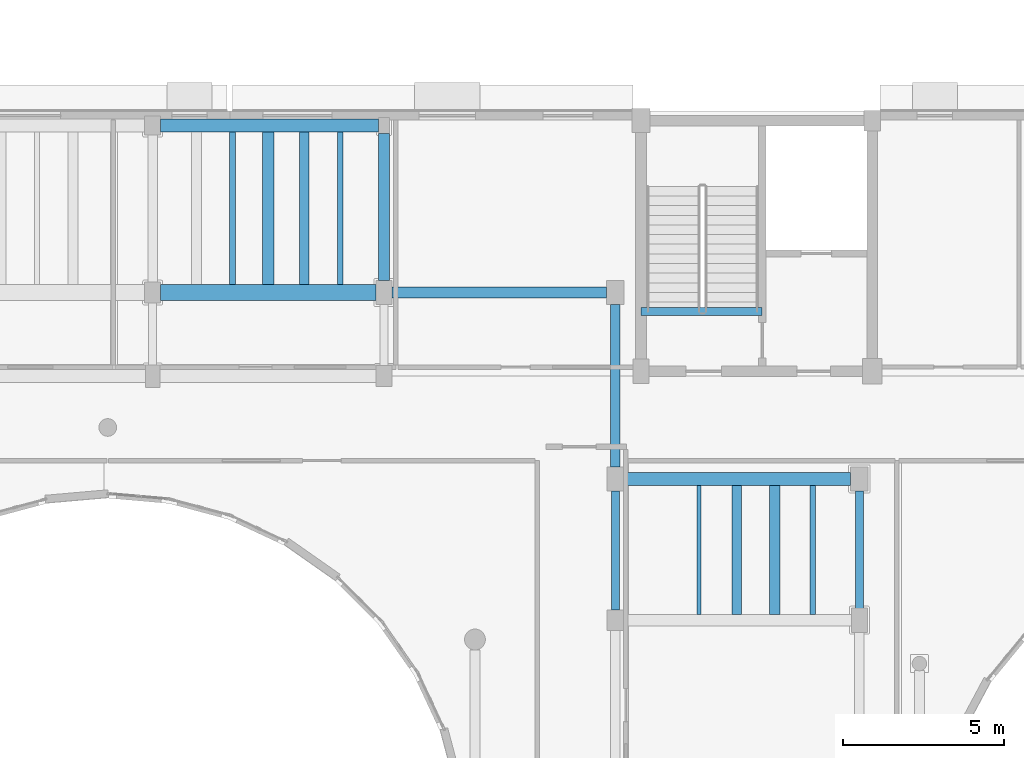
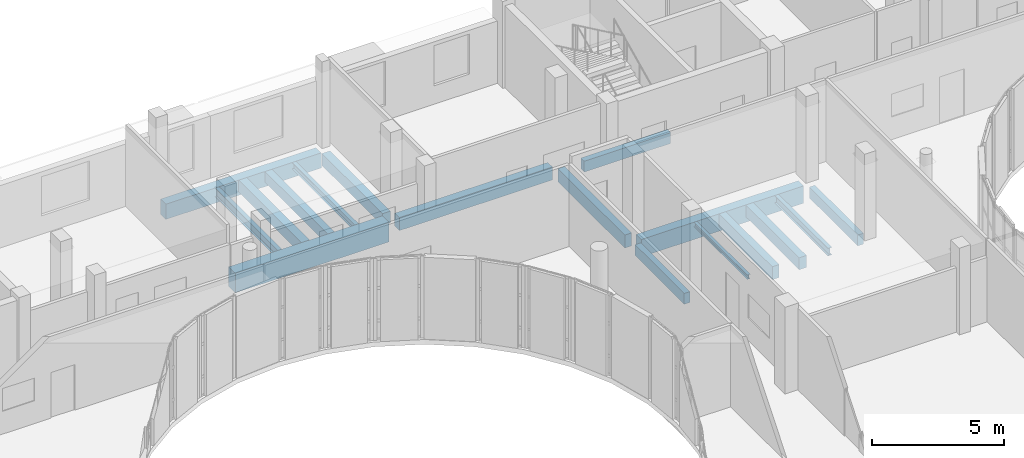
# One storey, part 37 of 92: 17 beams.
"""IFC4 building model written with IfcOpenShell, lengths in metres."""

import ifcopenshell
import ifcopenshell.guid

model = None  # the IFC model being written
_history = None  # IfcOwnerHistory: only IFC2X3 demands one
_inside = {}  # id of a spatial element -> (the spatial element, [elements in it])
_under = {}  # id of a project, library or spatial element -> (it, [spatial elements below it])
_declared = {}  # id of a project -> (the project, [libraries it declares])
_typed = {}  # id of a type object -> (the type object, [elements of that type])
_made_of = {}  # id of a material, layer set ... -> (it, [elements and type objects made of it])


def new_model(schema):
    """Start an empty IFC model of exactly this schema.

    Asked for "IFC4X3", IfcOpenShell would pick the latest addendum, in which some entities
    have other attributes; the version numbers below select the first issue.
    IFC2X3 requires an IfcOwnerHistory on every rooted entity: one is made here for all.
    """
    global model, _history
    if schema == "IFC4X3":
        model = ifcopenshell.file(schema_version=(4, 3, 0, 0))
    else:
        model = ifcopenshell.file(schema=schema)
    _inside.clear()
    _under.clear()
    _declared.clear()
    _typed.clear()
    _made_of.clear()
    _history = None
    if model.schema == "IFC2X3":
        org = make("IfcOrganization", Name="unknown")
        user = make(
            "IfcPersonAndOrganization",
            ThePerson=make("IfcPerson", FamilyName="unknown"),
            TheOrganization=org,
        )
        app = make(
            "IfcApplication",
            ApplicationDeveloper=org,
            Version="unknown",
            ApplicationFullName="unknown",
            ApplicationIdentifier="unknown",
        )
        _history = make(
            "IfcOwnerHistory",
            OwningUser=user,
            OwningApplication=app,
            ChangeAction="ADDED",
            CreationDate=0,
        )
    return model


def make(cls, **values):
    """One entity of the class cls with the attributes given. An attribute that is None is left unset."""
    return model.create_entity(
        cls, **{name: value for name, value in values.items() if value is not None}
    )


def rooted(cls, **values):
    """An entity with a GlobalId (a new one), such as an element, a storey or a relation."""
    return make(cls, GlobalId=ifcopenshell.guid.new(), OwnerHistory=_history, **values)


def si_unit(unit_type, name, prefix=None):
    """IfcSIUnit, for example si_unit("LENGTHUNIT", "METRE", prefix="MILLI")."""
    return make("IfcSIUnit", UnitType=unit_type, Prefix=prefix, Name=name)


def assignment(units):
    """IfcUnitAssignment: the units of a project."""
    return None if units is None else make("IfcUnitAssignment", Units=units)


def point(xyz):
    """IfcCartesianPoint."""
    return None if xyz is None else make("IfcCartesianPoint", Coordinates=xyz)


def direction(xyz):
    """IfcDirection."""
    return None if xyz is None else make("IfcDirection", DirectionRatios=xyz)


def frame(location, z_axis=None, x_axis=None):
    """IfcAxis2Placement3D, a coordinate frame: its origin and axes. An axis left out is left unset."""
    return make(
        "IfcAxis2Placement3D",
        Location=point(location),
        Axis=direction(z_axis),
        RefDirection=direction(x_axis),
    )


def frame_2d(location, x_axis=None):
    """IfcAxis2Placement2D, a coordinate frame in the plane: its origin and x axis."""
    return make(
        "IfcAxis2Placement2D", Location=point(location), RefDirection=direction(x_axis)
    )


def origin():
    """The frame at (0, 0, 0) with its axes left unset."""
    return frame((0.0, 0.0, 0.0))


def origin_2d():
    """The frame at (0, 0) in the plane with its x axis left unset."""
    return frame_2d((0.0, 0.0))


def place(relative_to, where):
    """IfcLocalPlacement: puts the frame where relative to a parent placement (None: the world)."""
    return make(
        "IfcLocalPlacement", PlacementRelTo=relative_to, RelativePlacement=where
    )


def context(
    kind, dimensions, precision=None, world=None, true_north=None, identifier=None
):
    """IfcGeometricRepresentationContext, for example the 3D "Model" context."""
    return make(
        "IfcGeometricRepresentationContext",
        ContextIdentifier=identifier,
        ContextType=kind,
        CoordinateSpaceDimension=dimensions,
        Precision=precision,
        WorldCoordinateSystem=world,
        TrueNorth=true_north,
    )


def subcontext(parent, identifier, kind, view, scale=None):
    """IfcGeometricRepresentationSubContext, for example "Body" below "Model"."""
    return make(
        "IfcGeometricRepresentationSubContext",
        ContextIdentifier=identifier,
        ContextType=kind,
        ParentContext=parent,
        TargetScale=scale,
        TargetView=view,
    )


def project(units=None, contexts=None):
    """IfcProject with its units and contexts."""
    return rooted(
        "IfcProject",
        Name="project",
        RepresentationContexts=contexts,
        UnitsInContext=assignment(units),
    )


def spatial(cls, under=None, at=None, **own):
    """A site, building, storey or space (cls), placed at a placement, below another one or the project."""
    s = rooted(cls, ObjectPlacement=at, **own)
    if under is not None:
        _under.setdefault(under.id(), (under, []))[1].append(s)
    return s


def profile(cls, at=None, kind="AREA", **sizes):
    """A parametric profile (cls). Its sizes go by their IFC names, for example OverallWidth=200.0."""
    return make(cls, ProfileType=kind, Position=at, **sizes)


def rectangle(**sizes):
    """IfcRectangleProfileDef."""
    return profile("IfcRectangleProfileDef", **sizes)


def i_section(**sizes):
    """IfcIShapeProfileDef."""
    return profile("IfcIShapeProfileDef", **sizes)


def extrude(swept, where, along, depth):
    """IfcExtrudedAreaSolid: the profile swept, set in the frame where, extruded along a direction by depth."""
    return make(
        "IfcExtrudedAreaSolid",
        SweptArea=swept,
        Position=where,
        ExtrudedDirection=direction(along),
        Depth=depth,
    )


def shape(context_of_items, identifier, shape_type, items):
    """IfcShapeRepresentation: the items that make up one representation, for example the "Body"."""
    return make(
        "IfcShapeRepresentation",
        ContextOfItems=context_of_items,
        RepresentationIdentifier=identifier,
        RepresentationType=shape_type,
        Items=items,
    )


def material(Name=None, Category=None):
    """IfcMaterial."""
    return make("IfcMaterial", Name=Name, Category=Category)


def material_profile(
    of_material, cross_section, Name=None, Category=None, Priority=None
):
    """IfcMaterialProfile: a cross section and its material."""
    return make(
        "IfcMaterialProfile",
        Name=Name,
        Material=of_material,
        Profile=cross_section,
        Priority=Priority,
        Category=Category,
    )


def profile_set(profiles, Name=None, composite=None):
    """IfcMaterialProfileSet."""
    return make(
        "IfcMaterialProfileSet",
        Name=Name,
        MaterialProfiles=profiles,
        CompositeProfile=composite,
    )


def made_of(thing, what):
    """Note that an element or type object is made of a material, layer set ...; save() writes the relation."""
    if what is not None:
        _made_of.setdefault(what.id(), (what, []))[1].append(thing)
    return thing


def type_object(cls, material=None, **own):
    """A type object (cls), such as IfcWallType, which elements share."""
    return made_of(rooted(cls, **own), material)


def element(
    cls,
    number,
    at=None,
    inside=None,
    cuts=None,
    type_object=None,
    material=None,
    context=None,
    identifier="Body",
    shape_type=None,
    held_by="IfcProductDefinitionShape",
    body=None,
    shapes=None,
    **own,
):
    """One element of the class cls, such as IfcWall. Its Tag is "e" and its number.

    at: its placement. inside: the storey or other place that contains it. cuts: it is an
    opening in that element (IfcRelVoidsElement). A single representation is given by context,
    identifier, shape_type and body (its items); several are given by shapes. held_by: the class
    of the entity that holds the representations. save() writes the other relations.
    """
    e = rooted(cls, Tag="e%d" % number, ObjectPlacement=at, **own)
    if body is not None:
        shapes = [shape(context, identifier, shape_type, body)]
    if shapes is not None:
        e.Representation = make(held_by, Representations=shapes)
    if inside is not None:
        _inside.setdefault(inside.id(), (inside, []))[1].append(e)
    if cuts is not None:
        rooted(
            "IfcRelVoidsElement", RelatingBuildingElement=cuts, RelatedOpeningElement=e
        )
    if type_object is not None:
        _typed.setdefault(type_object.id(), (type_object, []))[1].append(e)
    return made_of(e, material)


def aggregate(whole, parts):
    """IfcRelAggregates: a whole, such as a stair, and the parts it consists of."""
    return rooted("IfcRelAggregates", RelatingObject=whole, RelatedObjects=parts)


def save(model, path):
    """Write the relations noted so far, then the file.

    IfcRelAggregates (storeys below a building ...), IfcRelContainedInSpatialStructure (elements
    in a storey), IfcRelDefinesByType, IfcRelAssociatesMaterial and IfcRelDeclares: one each for
    every whole, place, type object, material and project.
    """
    for whole, parts in _under.values():
        aggregate(whole, parts)
    for where, things in _inside.values():
        rooted(
            "IfcRelContainedInSpatialStructure",
            RelatedElements=things,
            RelatingStructure=where,
        )
    for kind, things in _typed.values():
        rooted("IfcRelDefinesByType", RelatedObjects=things, RelatingType=kind)
    for what, things in _made_of.values():
        rooted("IfcRelAssociatesMaterial", RelatedObjects=things, RelatingMaterial=what)
    for by, libraries in _declared.values():
        rooted("IfcRelDeclares", RelatingContext=by, RelatedDefinitions=libraries)
    model.write(path)


model = new_model("IFC4")

# Units and contexts
model_context = context("Model", 3, precision=1e-05, world=origin(), true_north=direction((0.0, 1.0)))
body_context = subcontext(model_context, "Body", "Model", "MODEL_VIEW")
ifc_project = project(units=[si_unit("LENGTHUNIT", "METRE"), si_unit("AREAUNIT", "SQUARE_METRE"), si_unit("VOLUMEUNIT", "CUBIC_METRE"), si_unit("PLANEANGLEUNIT", "RADIAN"), si_unit("MASSUNIT", "GRAM", prefix="KILO")], contexts=[model_context])

# Site, building, storey
site_placement = place(None, origin())
site = spatial("IfcSite", under=ifc_project, at=site_placement, CompositionType="ELEMENT")
building_placement = place(site_placement, origin())
building = spatial("IfcBuilding", under=site, at=building_placement, Name="Kelanivale Promenade Academy", CompositionType="ELEMENT")
storey_placement = place(building_placement, frame((0.0, 0.0, 8.199951171875)))
storey = spatial("IfcBuildingStorey", under=building, at=storey_placement, Name="L02", CompositionType="ELEMENT", Elevation=8.199951171875)

# Beams
ifc_material_1 = material(Name="Concrete C35/45", Category="concrete")
ifc_material_profile_1 = material_profile(ifc_material_1, rectangle(XDim=0.39990234375, YDim=0.699951171875, at=origin_2d()), Name="RC-BM 400x700")
ifc_profile_set_1 = profile_set([ifc_material_profile_1], Name="Concrete C35/45")
beam_type_1 = type_object("IfcBeamType", Name="BM-02 RC-BM 400x700", PredefinedType="BEAM", material=ifc_profile_set_1)
beam_1_placement = place(storey_placement, frame((65.044921875, 79.39990234375, -0.570068359375), z_axis=(1.0, 0.0, 0.0), x_axis=(0.0, 1.0, 0.0)))
element("IfcBeam", 1, at=beam_1_placement, inside=storey, type_object=beam_type_1, Name="L02 girder BM-02", PredefinedType="BEAM", context=body_context, shape_type="SweptSolid", body=[
    extrude(rectangle(XDim=0.39990234375, YDim=0.699951171875, at=origin_2d()), origin(), (0.0, 0.0, 1.0), 6.78515625),
])
ifc_material_profile_2 = material_profile(ifc_material_1, rectangle(XDim=0.5, YDim=0.89990234375, at=origin_2d()), Name="RC-BM 500x900")
ifc_profile_set_2 = profile_set([ifc_material_profile_2], Name="Concrete C35/45")
beam_type_2 = type_object("IfcBeamType", Name="BM-08 RC-BM 500x900", PredefinedType="BEAM", material=ifc_profile_set_2)
beam_2_placement = place(storey_placement, frame((65.044921875, 74.199951171875, -0.669921875), z_axis=(1.0, 0.0, 0.0), x_axis=(0.0, 1.0, 0.0)))
element("IfcBeam", 2, at=beam_2_placement, inside=storey, type_object=beam_type_2, Name="L02 girder BM-08", PredefinedType="BEAM", context=body_context, shape_type="SweptSolid", body=[
    extrude(rectangle(XDim=0.5, YDim=0.89990234375, at=origin_2d()), origin(), (0.0, 0.0, 1.0), 6.7099609375),
])
ifc_material_profile_3 = material_profile(ifc_material_1, rectangle(XDim=0.35009765625, YDim=0.60009765625, at=origin_2d()), Name="RC-BM 350x600")
ifc_profile_set_3 = profile_set([ifc_material_profile_3], Name="Concrete C35/45")
beam_type_3 = type_object("IfcBeamType", Name="BM-09 RC-BM 350x600", PredefinedType="BEAM", material=ifc_profile_set_3)
beam_3_placement = place(storey_placement, frame((72.2451171875, 74.199951171875, -0.52001953125), z_axis=(1.0, 0.0, 0.0), x_axis=(0.0, 1.0, 0.0)))
element("IfcBeam", 3, at=beam_3_placement, inside=storey, type_object=beam_type_3, Name="L02 girder BM-09", PredefinedType="BEAM", context=body_context, shape_type="SweptSolid", body=[
    extrude(rectangle(XDim=0.35009765625, YDim=0.60009765625, at=origin_2d()), origin(), (0.0, 0.0, 1.0), 6.684814453125),
])
ifc_material_profile_4 = material_profile(ifc_material_1, rectangle(XDim=0.39990234375, YDim=0.800048828125, at=origin_2d()), Name="RC-BM 400x800")
ifc_profile_set_4 = profile_set([ifc_material_profile_4], Name="Concrete C35/45")
beam_type_4 = type_object("IfcBeamType", Name="BM-14 RC-BM 400x800", PredefinedType="BEAM", material=ifc_profile_set_4)
beam_4_placement = place(storey_placement, frame((79.445068359375, 68.39990234375, -0.619873046875), z_axis=(1.0, 0.0, 0.0), x_axis=(0.0, 1.0, 0.0)))
element("IfcBeam", 4, at=beam_4_placement, inside=storey, type_object=beam_type_4, Name="L02 girder BM-14", PredefinedType="BEAM", context=body_context, shape_type="SweptSolid", body=[
    extrude(rectangle(XDim=0.39990234375, YDim=0.800048828125, at=origin_2d()), origin(), (0.0, 0.0, 1.0), 7.0849609375),
])
ifc_material_profile_5 = material_profile(ifc_material_1, rectangle(XDim=0.300048828125, YDim=0.5, at=origin_2d()), Name="RC-BM 300x500")
ifc_profile_set_5 = profile_set([ifc_material_profile_5], Name="Concrete C35/45")
beam_type_5 = type_object("IfcBeamType", Name="JS-01 RC-BM 300x500", PredefinedType="JOIST", material=ifc_profile_set_5)
beam_5_placement = place(storey_placement, frame((69.51806640625, 74.449951171875, -0.469970703125), z_axis=(0.0, 1.0, 0.0), x_axis=(-1.0, 0.0, 0.0)))
element("IfcBeam", 5, at=beam_5_placement, inside=storey, type_object=beam_type_5, Name="L02 secondary sub-beam JS-01", PredefinedType="JOIST", context=body_context, shape_type="SweptSolid", body=[
    extrude(rectangle(XDim=0.300048828125, YDim=0.5, at=origin_2d()), origin(), (0.0, 0.0, 1.0), 4.75),
])
ifc_material_profile_6 = material_profile(ifc_material_1, rectangle(XDim=0.300048828125, YDim=0.60009765625, at=origin_2d()), Name="RC-BM 300x600")
ifc_profile_set_6 = profile_set([ifc_material_profile_6], Name="Concrete C35/45")
beam_type_6 = type_object("IfcBeamType", Name="JS-03 RC-BM 300x600", PredefinedType="JOIST", material=ifc_profile_set_6)
beam_6_placement = place(storey_placement, frame((79.199951171875, 68.77001953125, -0.52001953125), z_axis=(0.0, 1.0, 0.0), x_axis=(-1.0, 0.0, 0.0)))
element("IfcBeam", 6, at=beam_6_placement, inside=storey, type_object=beam_type_6, Name="L02 beam JS-03", PredefinedType="JOIST", context=body_context, shape_type="SweptSolid", body=[
    extrude(rectangle(XDim=0.300048828125, YDim=0.60009765625, at=origin_2d()), origin(), (0.0, 0.0, 1.0), 5.06005859375),
])
beam_7_placement = place(storey_placement, frame((82.987060546875, 64.175048828125, -0.52001953125), z_axis=(0.0, 1.0, 0.0), x_axis=(-1.0, 0.0, 0.0)))
element("IfcBeam", 7, at=beam_7_placement, inside=storey, type_object=beam_type_6, Name="L02 secondary sub-beam JS-03", PredefinedType="JOIST", context=body_context, shape_type="SweptSolid", body=[
    extrude(rectangle(XDim=0.300048828125, YDim=0.60009765625, at=origin_2d()), origin(), (0.0, 0.0, 1.0), 4.02490234375),
])
ifc_material_profile_7 = material_profile(ifc_material_1, rectangle(XDim=0.320068359375, YDim=0.550048828125, at=origin_2d()), Name="RC-BM 320x550")
ifc_profile_set_7 = profile_set([ifc_material_profile_7], Name="Concrete C35/45")
beam_type_7 = type_object("IfcBeamType", Name="JS-04 RC-BM 320x550", PredefinedType="JOIST", material=ifc_profile_set_7)
beam_8_placement = place(storey_placement, frame((84.16796875, 64.175048828125, -0.494873046875), z_axis=(0.0, 1.0, 0.0), x_axis=(-1.0, 0.0, 0.0)))
element("IfcBeam", 8, at=beam_8_placement, inside=storey, type_object=beam_type_7, Name="L02 secondary sub-beam JS-04", PredefinedType="JOIST", context=body_context, shape_type="SweptSolid", body=[
    extrude(rectangle(XDim=0.320068359375, YDim=0.550048828125, at=origin_2d()), origin(), (0.0, 0.0, 1.0), 4.02490234375),
])
ifc_material_profile_8 = material_profile(ifc_material_1, rectangle(XDim=0.35009765625, YDim=0.550048828125, at=origin_2d()), Name="RC-BM 350x550")
ifc_profile_set_8 = profile_set([ifc_material_profile_8], Name="Concrete C35/45")
beam_type_8 = type_object("IfcBeamType", Name="JS-06 RC-BM 350x550", PredefinedType="JOIST", material=ifc_profile_set_8)
beam_9_placement = place(storey_placement, frame((72.0, 74.570068359375, -0.494873046875), z_axis=(0.0, 1.0, 0.0), x_axis=(-1.0, 0.0, 0.0)))
element("IfcBeam", 9, at=beam_9_placement, inside=storey, type_object=beam_type_8, Name="L02 beam JS-06", PredefinedType="JOIST", context=body_context, shape_type="SweptSolid", body=[
    extrude(rectangle(XDim=0.35009765625, YDim=0.550048828125, at=origin_2d()), origin(), (0.0, 0.0, 1.0), 4.5849609375),
])
beam_10_placement = place(storey_placement, frame((68.39990234375, 74.449951171875, -0.494873046875), z_axis=(0.0, 1.0, 0.0), x_axis=(-1.0, 0.0, 0.0)))
element("IfcBeam", 10, at=beam_10_placement, inside=storey, type_object=beam_type_8, Name="L02 secondary sub-beam JS-06", PredefinedType="JOIST", context=body_context, shape_type="SweptSolid", body=[
    extrude(rectangle(XDim=0.35009765625, YDim=0.550048828125, at=origin_2d()), origin(), (0.0, 0.0, 1.0), 4.75),
])
ifc_material_profile_9 = material_profile(ifc_material_1, rectangle(XDim=0.25, YDim=0.5, at=origin_2d()), Name="RC-BM 250x500")
ifc_profile_set_9 = profile_set([ifc_material_profile_9], Name="Concrete C35/45")
beam_type_9 = type_object("IfcBeamType", Name="LN-02 RC-BM 250x500", PredefinedType="LINTEL", material=ifc_profile_set_9)
beam_11_placement = place(storey_placement, frame((79.199951171875, 64.320068359375, -0.469970703125), z_axis=(0.0, 1.0, 0.0), x_axis=(-1.0, 0.0, 0.0)))
element("IfcBeam", 11, at=beam_11_placement, inside=storey, type_object=beam_type_9, Name="L02 beam LN-02", PredefinedType="LINTEL", context=body_context, shape_type="SweptSolid", body=[
    extrude(rectangle(XDim=0.25, YDim=0.5, at=origin_2d()), origin(), (0.0, 0.0, 1.0), 3.7099609375),
])
beam_12_placement = place(storey_placement, frame((86.800048828125, 64.3701171875, -0.469970703125), z_axis=(0.0, 1.0, 0.0), x_axis=(-1.0, 0.0, 0.0)))
element("IfcBeam", 12, at=beam_12_placement, inside=storey, type_object=beam_type_9, Name="L02 beam LN-02", PredefinedType="LINTEL", context=body_context, shape_type="SweptSolid", body=[
    extrude(rectangle(XDim=0.25, YDim=0.5, at=origin_2d()), origin(), (0.0, 0.0, 1.0), 3.659912109375),
])
beam_13_placement = place(storey_placement, frame((80.0, 73.60498046875, -0.25), z_axis=(1.0, 0.0, 0.0), x_axis=(0.0, 1.0, 0.0)))
element("IfcBeam", 13, at=beam_13_placement, inside=storey, type_object=beam_type_9, Name="CORE-2 stair arrival trimmer beam L02", PredefinedType="LINTEL", context=body_context, shape_type="SweptSolid", body=[
    extrude(rectangle(XDim=0.25, YDim=0.5, at=origin_2d()), origin(), (0.0, 0.0, 1.0), 3.77490234375),
])
ifc_material_2 = material(Name="Steel S355", Category="steel")
ifc_material_profile_10 = material_profile(ifc_material_2, i_section(OverallWidth=0.13330078125, OverallDepth=0.203125, WebThickness=0.005615234375, FlangeThickness=0.0078125, FilletRadius=0.007568359375, at=origin_2d()), Name="UB 203x133x25")
ifc_profile_set_10 = profile_set([ifc_material_profile_10], Name="Steel S355")
beam_type_10 = type_object("IfcBeamType", Name="SB-01 UB 203x133x25", PredefinedType="JOIST", material=ifc_profile_set_10)
beam_14_placement = place(storey_placement, frame((81.806884765625, 64.175048828125, -0.322021484375), z_axis=(0.0, 1.0, 0.0), x_axis=(-1.0, 0.0, 0.0)))
element("IfcBeam", 14, at=beam_14_placement, inside=storey, type_object=beam_type_10, Name="L02 secondary sub-beam SB-01", PredefinedType="JOIST", context=body_context, shape_type="SweptSolid", body=[
    extrude(i_section(OverallWidth=0.13330078125, OverallDepth=0.203125, WebThickness=0.005615234375, FlangeThickness=0.0078125, FilletRadius=0.007568359375, at=origin_2d()), origin(), (0.0, 0.0, 1.0), 4.02490234375),
])
ifc_material_profile_11 = material_profile(ifc_material_2, i_section(OverallWidth=0.1650390625, OverallDepth=0.303466796875, WebThickness=0.006103515625, FlangeThickness=0.01025390625, FilletRadius=0.0087890625, at=origin_2d()), Name="UB 305x165x40")
ifc_profile_set_11 = profile_set([ifc_material_profile_11], Name="Steel S355")
beam_type_11 = type_object("IfcBeamType", Name="SB-03 UB 305x165x40", PredefinedType="BEAM", material=ifc_profile_set_11)
beam_15_placement = place(storey_placement, frame((70.636962890625, 74.449951171875, -0.3720703125), z_axis=(0.0, 1.0, 0.0), x_axis=(-1.0, 0.0, 0.0)))
element("IfcBeam", 15, at=beam_15_placement, inside=storey, type_object=beam_type_11, Name="L02 secondary sub-beam SB-03", PredefinedType="BEAM", context=body_context, shape_type="SweptSolid", body=[
    extrude(i_section(OverallWidth=0.1650390625, OverallDepth=0.303466796875, WebThickness=0.006103515625, FlangeThickness=0.01025390625, FilletRadius=0.0087890625, at=origin_2d()), origin(), (0.0, 0.0, 1.0), 4.75),
])
ifc_material_profile_12 = material_profile(ifc_material_2, i_section(OverallWidth=0.17138671875, OverallDepth=0.35498046875, WebThickness=0.00732421875, FlangeThickness=0.011474609375, FilletRadius=0.01025390625, at=origin_2d()), Name="UB 356x171x51")
ifc_profile_set_12 = profile_set([ifc_material_profile_12], Name="Steel S355")
beam_type_12 = type_object("IfcBeamType", Name="SB-04 UB 356x171x51", PredefinedType="BEAM", material=ifc_profile_set_12)
beam_16_placement = place(storey_placement, frame((85.34912109375, 64.175048828125, -0.39697265625), z_axis=(0.0, 1.0, 0.0), x_axis=(-1.0, 0.0, 0.0)))
element("IfcBeam", 16, at=beam_16_placement, inside=storey, type_object=beam_type_12, Name="L02 secondary sub-beam SB-04", PredefinedType="BEAM", context=body_context, shape_type="SweptSolid", body=[
    extrude(i_section(OverallWidth=0.17138671875, OverallDepth=0.35498046875, WebThickness=0.00732421875, FlangeThickness=0.011474609375, FilletRadius=0.01025390625, at=origin_2d()), origin(), (0.0, 0.0, 1.0), 4.02490234375),
])
ifc_material_profile_13 = material_profile(ifc_material_2, i_section(OverallWidth=0.177978515625, OverallDepth=0.406494140625, WebThickness=0.0078125, FlangeThickness=0.0126953125, FilletRadius=0.01025390625, at=origin_2d()), Name="UB 406x178x60")
ifc_profile_set_13 = profile_set([ifc_material_profile_13], Name="Steel S355")
beam_type_13 = type_object("IfcBeamType", Name="SB-05 UB 406x178x60", PredefinedType="BEAM", material=ifc_profile_set_13)
beam_17_placement = place(storey_placement, frame((67.281982421875, 74.449951171875, -0.4228515625), z_axis=(0.0, 1.0, 0.0), x_axis=(-1.0, 0.0, 0.0)))
element("IfcBeam", 17, at=beam_17_placement, inside=storey, type_object=beam_type_13, Name="L02 secondary sub-beam SB-05", PredefinedType="BEAM", context=body_context, shape_type="SweptSolid", body=[
    extrude(i_section(OverallWidth=0.177978515625, OverallDepth=0.406494140625, WebThickness=0.0078125, FlangeThickness=0.0126953125, FilletRadius=0.01025390625, at=origin_2d()), origin(), (0.0, 0.0, 1.0), 4.75),
])

save(model, "model.ifc")
